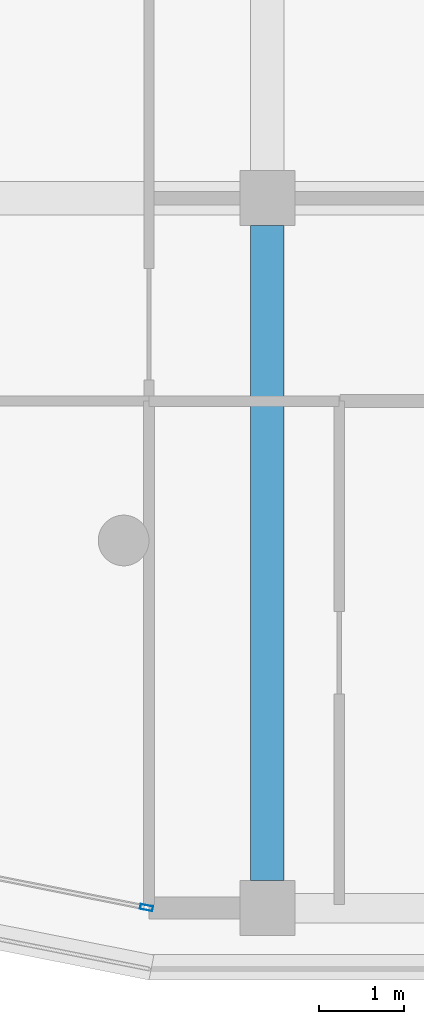
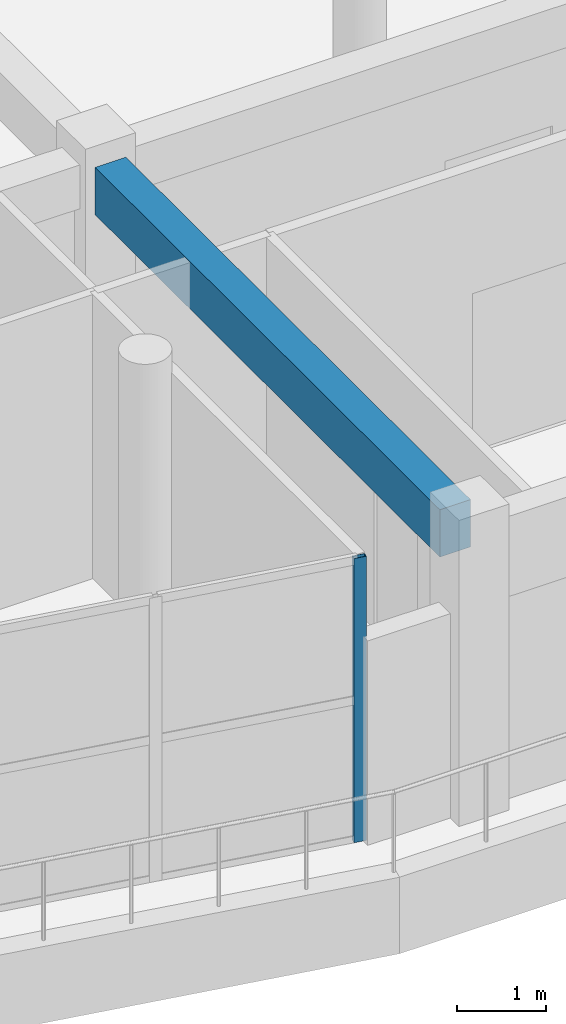
# One storey, part 3 of 57: 1 beam, 1 member, 1 element without a shape of its own.
"""IFC4 building model written with IfcOpenShell, lengths in metres."""

from ifc_helpers import new_model, si_unit, direction, frame, origin, origin_2d, place, context, subcontext, project, spatial, rectangle, hollow_rectangle, extrude, material, layer, layer_set, material_profile, profile_set, type_object, element, aggregate, save


model = new_model("IFC4")

# Units and contexts
model_context = context("Model", 3, precision=1e-05, world=origin(), true_north=direction((0.0, 1.0)))
body_context = subcontext(model_context, "Body", "Model", "MODEL_VIEW")
ifc_project = project(units=[si_unit("LENGTHUNIT", "METRE"), si_unit("AREAUNIT", "SQUARE_METRE"), si_unit("VOLUMEUNIT", "CUBIC_METRE"), si_unit("PLANEANGLEUNIT", "RADIAN"), si_unit("MASSUNIT", "GRAM", prefix="KILO")], contexts=[model_context])

# Site, building, storey
site_placement = place(None, origin())
site = spatial("IfcSite", under=ifc_project, at=site_placement, CompositionType="ELEMENT")
building_placement = place(site_placement, origin())
building = spatial("IfcBuilding", under=site, at=building_placement, Name="Zizhar Promenade General Hospital", CompositionType="ELEMENT")
storey_placement = place(building_placement, frame((0.0, 0.0, 22.199951171875)))
storey = spatial("IfcBuildingStorey", under=building, at=storey_placement, Name="L05", CompositionType="ELEMENT", Elevation=22.199951171875)

# Beam
ifc_material_1 = material(Name="Concrete C35/45", Category="concrete")
ifc_material_profile_1 = material_profile(ifc_material_1, rectangle(XDim=0.39990234375, YDim=0.64990234375, at=origin_2d()))
ifc_profile_set_1 = profile_set([ifc_material_profile_1], Name="Concrete C35/45")
beam_type = type_object("IfcBeamType", Name="BM-RC-400x650", PredefinedType="BEAM", material=ifc_profile_set_1)
beam_placement = place(storey_placement, frame((31.199951171875, 0.324951171875, 3.5849609375), z_axis=(0.0, 1.0, 0.0), x_axis=(-1.0, 0.0, 0.0)))
element("IfcBeam", 1, at=beam_placement, inside=storey, type_object=beam_type, Name="Grid Beam Y L05 (4-0)", PredefinedType="BEAM", context=body_context, shape_type="SweptSolid", body=[
    extrude(rectangle(XDim=0.39990234375, YDim=0.64990234375, at=origin_2d()), origin(), (0.0, 0.0, 1.0), 7.75),
])

# Curtain wall, member
ifc_material_2 = material(Name="Anodised aluminium 6063-T6 and low-E glass", Category="aluminium")
ifc_layer = layer(ifc_material_2, 0.159912109375)
ifc_layer_set = layer_set([ifc_layer], Name="Anodised aluminium 6063-T6 and low-E glass")
curtain_wall_type = type_object("IfcCurtainWallType", Name="CW-WARD-ARC", PredefinedType="NOTDEFINED", material=ifc_layer_set)
curtain_wall_placement = place(storey_placement, origin())
curtain_wall = element("IfcCurtainWall", 2, at=curtain_wall_placement, inside=storey, type_object=curtain_wall_type, Name="Ward Semicircular End Glazing L05-17", PredefinedType="NOTDEFINED")
ifc_material_3 = material(Name="Anodised aluminium 6063-T6", Category="aluminium")
ifc_material_profile_2 = material_profile(ifc_material_3, hollow_rectangle(XDim=0.06005859375, YDim=0.14990234375, WallThickness=0.00390625, at=origin_2d()))
ifc_profile_set_2 = profile_set([ifc_material_profile_2], Name="Anodised aluminium 6063-T6")
member_type = type_object("IfcMemberType", Name="CWM-ALU-150x60", PredefinedType="MULLION", material=ifc_profile_set_2)
member_placement = place(storey_placement, frame((29.7705078125, 0.005859375, 0.0), z_axis=(0.0, 0.0, 1.0), x_axis=(-0.195087259275, -0.980785889615, 0.0)))
member = element("IfcMember", 3, at=member_placement, type_object=member_type, Name="CW-12 mullion 1", PredefinedType="MULLION", context=body_context, shape_type="SweptSolid", body=[
    extrude(hollow_rectangle(XDim=0.06005859375, YDim=0.14990234375, WallThickness=0.00390625, at=origin_2d()), origin(), (0.0, 0.0, 1.0), 3.900146484375),
])
aggregate(curtain_wall, [member])

save(model, "model.ifc")
